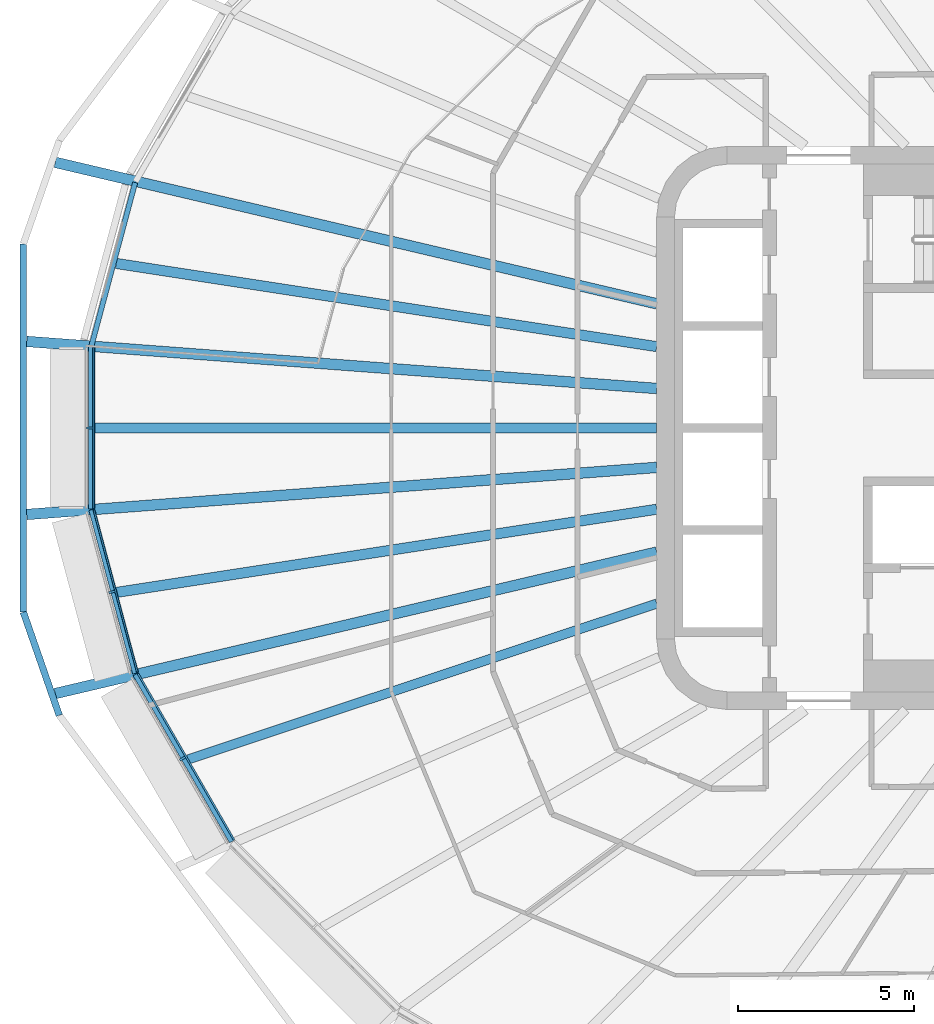
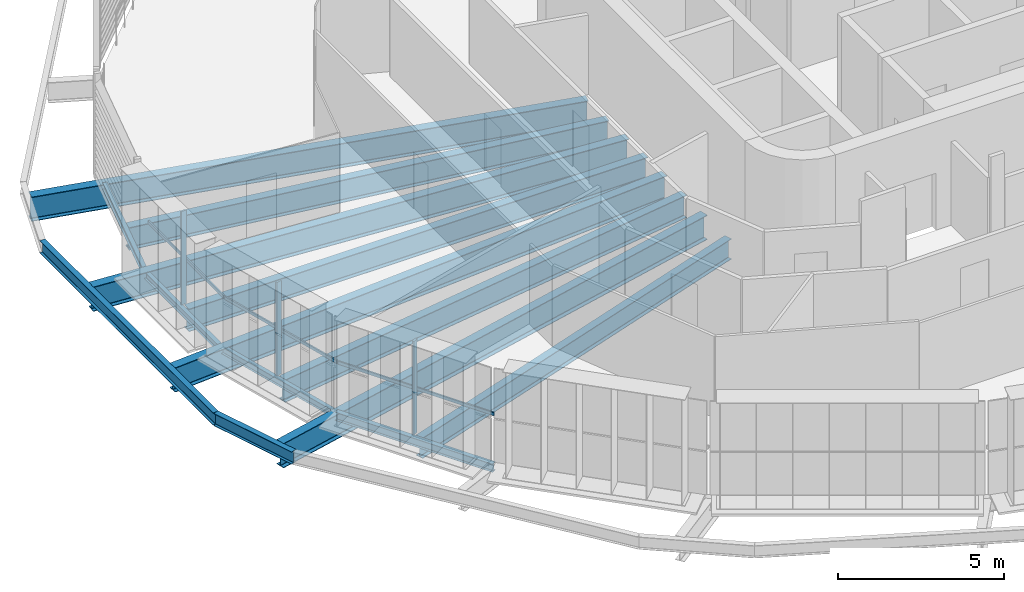
# One storey, part 2 of 23: 14 beams, 6 members, 3 elements without a shape of their own.
"""IFC4 building model written with IfcOpenShell, lengths in metres."""

from ifc_helpers import new_model, si_unit, direction, frame, origin, origin_2d, place, context, subcontext, project, spatial, rectangle, i_section, extrude, material, layer, layer_set, material_profile, profile_set, type_object, element, aggregate, save


model = new_model("IFC4")

# Units and contexts
model_context = context("Model", 3, precision=1e-05, world=origin(), true_north=direction((0.0, 1.0)))
body_context = subcontext(model_context, "Body", "Model", "MODEL_VIEW")
ifc_project = project(units=[si_unit("LENGTHUNIT", "METRE"), si_unit("AREAUNIT", "SQUARE_METRE"), si_unit("VOLUMEUNIT", "CUBIC_METRE"), si_unit("PLANEANGLEUNIT", "RADIAN"), si_unit("MASSUNIT", "GRAM", prefix="KILO")], contexts=[model_context])

# Site, building, storey
site_placement = place(None, origin())
site = spatial("IfcSite", under=ifc_project, at=site_placement, CompositionType="ELEMENT")
building_placement = place(site_placement, origin())
building = spatial("IfcBuilding", under=site, at=building_placement, Name="Sahrelin Media Tower", CompositionType="ELEMENT")
storey_placement = place(building_placement, frame((0.0, 0.0, 169.60009765625)))
storey = spatial("IfcBuildingStorey", under=building, at=storey_placement, Name="L35", CompositionType="ELEMENT", Elevation=169.60009765625)

# Beams
ifc_material_1 = material(Name="Steel S355", Category="steel")
ifc_material_profile_1 = material_profile(ifc_material_1, i_section(OverallWidth=0.14599609375, OverallDepth=0.25146484375, WebThickness=0.006103515625, FlangeThickness=0.008544921875, FilletRadius=0.007568359375, at=origin_2d()), Name="UB 254x146x31")
ifc_profile_set_1 = profile_set([ifc_material_profile_1], Name="Steel S355")
beam_type_1 = type_object("IfcBeamType", Name="Edge beam EB1", PredefinedType="BEAM", material=ifc_profile_set_1)
beam_1_placement = place(storey_placement, frame((-29.81787109375, -6.972900390625, -0.27587890625), z_axis=(-0.258802892951, 0.9659301541, 0.0), x_axis=(-0.9659301541, -0.258802892951, 0.0)))
element("IfcBeam", 1, at=beam_1_placement, inside=storey, type_object=beam_type_1, Name="Edge beam L35-12", PredefinedType="BEAM", context=body_context, shape_type="SweptSolid", body=[
    extrude(i_section(OverallWidth=0.14599609375, OverallDepth=0.25146484375, WebThickness=0.006103515625, FlangeThickness=0.008544921875, FilletRadius=0.007568359375, at=origin_2d()), origin(), (0.0, 0.0, 1.0), 4.81005859375),
])
beam_2_placement = place(storey_placement, frame((-31.06640625, -2.298095703125, -0.32568359375), z_axis=(0.0, 1.0, 0.0), x_axis=(-1.0, 0.0, 0.0)))
element("IfcBeam", 2, at=beam_2_placement, inside=storey, type_object=beam_type_1, Name="Edge beam L35-13", PredefinedType="BEAM", context=body_context, shape_type="SweptSolid", body=[
    extrude(i_section(OverallWidth=0.14599609375, OverallDepth=0.25146484375, WebThickness=0.006103515625, FlangeThickness=0.008544921875, FilletRadius=0.007568359375, at=origin_2d()), origin(), (0.0, 0.0, 1.0), 4.59619140625),
])
beam_3_placement = place(storey_placement, frame((-31.062744140625, 2.32666015625, -0.32568359375), z_axis=(0.258802892951, 0.9659301541, 0.0), x_axis=(-0.9659301541, 0.258802892951, 0.0)))
element("IfcBeam", 3, at=beam_3_placement, inside=storey, type_object=beam_type_1, Name="Edge beam L35-14", PredefinedType="BEAM", context=body_context, shape_type="SweptSolid", body=[
    extrude(i_section(OverallWidth=0.14599609375, OverallDepth=0.25146484375, WebThickness=0.006103515625, FlangeThickness=0.008544921875, FilletRadius=0.007568359375, at=origin_2d()), origin(), (0.0, 0.0, 1.0), 4.81005859375),
])
ifc_material_profile_2 = material_profile(ifc_material_1, i_section(OverallWidth=0.1650390625, OverallDepth=0.303466796875, WebThickness=0.006103515625, FlangeThickness=0.01025390625, FilletRadius=0.0087890625, at=origin_2d()), Name="UB 305x165x40")
ifc_profile_set_2 = profile_set([ifc_material_profile_2], Name="Steel S355")
beam_type_2 = type_object("IfcBeamType", Name="Edge beam EB2", PredefinedType="BEAM", material=ifc_profile_set_2)
beam_4_placement = place(storey_placement, frame((-27.065673828125, -11.747314453125, -0.3017578125), z_axis=(-0.500008994894, 0.866020210518, 0.0), x_axis=(-0.866020210518, -0.500008994894, 0.0)))
element("IfcBeam", 4, at=beam_4_placement, inside=storey, type_object=beam_type_2, Name="Edge beam L35-11", PredefinedType="BEAM", context=body_context, shape_type="SweptSolid", body=[
    extrude(i_section(OverallWidth=0.1650390625, OverallDepth=0.303466796875, WebThickness=0.006103515625, FlangeThickness=0.01025390625, FilletRadius=0.0087890625, at=origin_2d()), origin(), (0.0, 0.0, 1.0), 5.482421875),
])

# Curtain wall, member
ifc_material_2 = material(Name="Champagne anodised aluminium 6063-T6", Category="aluminium")
ifc_layer = layer(ifc_material_2, 0.14990234375)
ifc_layer_set = layer_set([ifc_layer], Name="Tower ribbon curtain wall")
curtain_wall_type = type_object("IfcCurtainWallType", Name="Tower ribbon curtain wall", PredefinedType="NOTDEFINED", material=ifc_layer_set)
curtain_wall_1_placement = place(storey_placement, frame((-31.216552734375, 0.0, 0.0), z_axis=(0.0, 0.0, 1.0), x_axis=(1.0, 0.0, 0.0)))
curtain_wall_1 = element("IfcCurtainWall", 5, at=curtain_wall_1_placement, inside=storey, type_object=curtain_wall_type, Name="L35:CW:L35-12", PredefinedType="NOTDEFINED")
ifc_material_profile_3 = material_profile(ifc_material_2, rectangle(XDim=0.06005859375, YDim=0.175048828125, at=origin_2d()), Name="Mullion 60x175")
ifc_profile_set_3 = profile_set([ifc_material_profile_3], Name="Champagne anodised aluminium 6063-T6")
member_type_1 = type_object("IfcMemberType", Name="Mullion 60x175 CW1B", PredefinedType="MULLION", material=ifc_profile_set_3)
member_1_placement = place(storey_placement, frame((-31.10888671875, 0.0, 0.0), z_axis=(0.0, 0.0, 1.0), x_axis=(0.0, -1.0, 0.0)))
member_1 = element("IfcMember", 6, at=member_1_placement, type_object=member_type_1, Name="L35:CWM:L35-12", PredefinedType="MULLION", context=body_context, shape_type="SweptSolid", body=[
    extrude(rectangle(XDim=0.06005859375, YDim=0.175048828125, at=origin_2d()), origin(), (0.0, 0.0, 1.0), 3.448486328125),
])

curtain_wall_2_placement = place(storey_placement, frame((-30.585205078125, -4.6884765625, 0.0), z_axis=(0.0, 0.0, 1.0), x_axis=(1.0, 0.0, 0.0)))
curtain_wall_2 = element("IfcCurtainWall", 7, at=curtain_wall_2_placement, inside=storey, type_object=curtain_wall_type, Name="L35:CW:L35-13", PredefinedType="NOTDEFINED")
member_2_placement = place(storey_placement, frame((-30.4814453125, -4.66064453125, 0.0), z_axis=(0.0, 0.0, 1.0), x_axis=(0.258808929937, -0.965928536583, 0.0)))
member_2 = element("IfcMember", 8, at=member_2_placement, type_object=member_type_1, Name="L35:CWM:L35-13", PredefinedType="MULLION", context=body_context, shape_type="SweptSolid", body=[
    extrude(rectangle(XDim=0.06005859375, YDim=0.175048828125, at=origin_2d()), origin(), (0.0, 0.0, 1.0), 3.448486328125),
])

curtain_wall_3_placement = place(storey_placement, frame((-28.566162109375, -9.4482421875, 0.0), z_axis=(0.0, 0.0, 1.0), x_axis=(1.0, 0.0, 0.0)))
curtain_wall_3 = element("IfcCurtainWall", 9, at=curtain_wall_3_placement, inside=storey, type_object=curtain_wall_type, Name="L35:CW:L35-14", PredefinedType="NOTDEFINED")
member_3_placement = place(storey_placement, frame((-28.47314453125, -9.39453125, 0.0), z_axis=(0.0, 0.0, 1.0), x_axis=(0.500009068969, -0.866020167749, 0.0)))
member_3 = element("IfcMember", 10, at=member_3_placement, type_object=member_type_1, Name="L35:CWM:L35-14", PredefinedType="MULLION", context=body_context, shape_type="SweptSolid", body=[
    extrude(rectangle(XDim=0.06005859375, YDim=0.175048828125, at=origin_2d()), origin(), (0.0, 0.0, 1.0), 3.448486328125),
])

# Beams
ifc_material_profile_4 = material_profile(ifc_material_1, i_section(OverallWidth=0.30322265625, OverallDepth=0.903076171875, WebThickness=0.01513671875, FlangeThickness=0.020263671875, FilletRadius=0.01904296875, at=origin_2d()), Name="UB 914x305x201")
ifc_profile_set_4 = profile_set([ifc_material_profile_4], Name="Steel S355")
beam_type_3 = type_object("IfcBeamType", Name="Radial primary beam PB11", PredefinedType="BEAM", material=ifc_profile_set_4)
beam_5_placement = place(storey_placement, frame((-15.0, 3.52783203125, -0.651611328125), z_axis=(-0.973441602467, 0.228935463803, 0.0), x_axis=(-0.228935463803, -0.973441602467, 0.0)))
element("IfcBeam", 11, at=beam_5_placement, inside=storey, type_object=beam_type_3, Name="Radial beam L35-11", PredefinedType="BEAM", context=body_context, shape_type="SweptSolid", body=[
    extrude(i_section(OverallWidth=0.30322265625, OverallDepth=0.903076171875, WebThickness=0.01513671875, FlangeThickness=0.020263671875, FilletRadius=0.01904296875, at=origin_2d()), origin(), (0.0, 0.0, 1.0), 17.555419921875),
])
for number, where, z_axis, x_axis, name in (
    (12, (-15.0, 1.120849609375, -0.6015625), (-0.997220571092, 0.074505923192, 0.0), (-0.074505923192, -0.997220571092, 0.0), "Radial beam L35-12"),
    (13, (-15.0, -1.120849609375, -0.6015625), (-0.997220571092, -0.074505923192, 0.0), (0.074505923192, -0.997220571092, 0.0), "Radial beam L35-13"),
):
    element("IfcBeam", number, at=place(storey_placement, frame(where, z_axis=z_axis, x_axis=x_axis)), inside=storey, type_object=beam_type_3, Name=name, PredefinedType="BEAM", context=body_context, shape_type="SweptSolid", body=[
        extrude(i_section(OverallWidth=0.30322265625, OverallDepth=0.903076171875, WebThickness=0.01513671875, FlangeThickness=0.020263671875, FilletRadius=0.01904296875, at=origin_2d()), origin(), (0.0, 0.0, 1.0), 17.9501953125),
    ])
beam_6_placement = place(storey_placement, frame((-15.0, -3.52783203125, -0.6015625), z_axis=(-0.973441602467, -0.228935463803, 0.0), x_axis=(0.228935463803, -0.973441602467, 0.0)))
element("IfcBeam", 14, at=beam_6_placement, inside=storey, type_object=beam_type_3, Name="Radial beam L35-14", PredefinedType="BEAM", context=body_context, shape_type="SweptSolid", body=[
    extrude(i_section(OverallWidth=0.30322265625, OverallDepth=0.903076171875, WebThickness=0.01513671875, FlangeThickness=0.020263671875, FilletRadius=0.01904296875, at=origin_2d()), origin(), (0.0, 0.0, 1.0), 17.555419921875),
])
ifc_material_profile_5 = material_profile(ifc_material_1, i_section(OverallWidth=0.291748046875, OverallDepth=0.8349609375, WebThickness=0.013916015625, FlangeThickness=0.018798828125, FilletRadius=0.017822265625, at=origin_2d()), Name="UB 838x292x176")
ifc_profile_set_5 = profile_set([ifc_material_profile_5], Name="Steel S355")
beam_type_4 = type_object("IfcBeamType", Name="Radial secondary beam SB10", PredefinedType="BEAM", material=ifc_profile_set_5)
beam_7_placement = place(storey_placement, frame((-15.0, 2.309814453125, -0.617431640625), z_axis=(-0.988352436235, 0.152182330737, 0.0), x_axis=(-0.152182330737, -0.988352436235, 0.0)))
element("IfcBeam", 15, at=beam_7_placement, inside=storey, type_object=beam_type_4, Name="Secondary beam L35-11", PredefinedType="BEAM", context=body_context, shape_type="SweptSolid", body=[
    extrude(i_section(OverallWidth=0.291748046875, OverallDepth=0.8349609375, WebThickness=0.013916015625, FlangeThickness=0.018798828125, FilletRadius=0.017822265625, at=origin_2d()), origin(), (0.0, 0.0, 1.0), 15.538818359375),
])
beam_8_placement = place(storey_placement, frame((-15.0, 0.0, -0.567626953125), z_axis=(-1.0, 0.0, 0.0), x_axis=(0.0, -1.0, 0.0)))
element("IfcBeam", 16, at=beam_8_placement, inside=storey, type_object=beam_type_4, Name="Secondary beam L35-12", PredefinedType="BEAM", context=body_context, shape_type="SweptSolid", body=[
    extrude(i_section(OverallWidth=0.291748046875, OverallDepth=0.8349609375, WebThickness=0.013916015625, FlangeThickness=0.018798828125, FilletRadius=0.017822265625, at=origin_2d()), origin(), (0.0, 0.0, 1.0), 15.993408203125),
])
beam_9_placement = place(storey_placement, frame((-15.0, -2.309814453125, -0.567626953125), z_axis=(-0.988352436235, -0.152182330737, 0.0), x_axis=(0.152182330737, -0.988352436235, 0.0)))
element("IfcBeam", 17, at=beam_9_placement, inside=storey, type_object=beam_type_4, Name="Secondary beam L35-13", PredefinedType="BEAM", context=body_context, shape_type="SweptSolid", body=[
    extrude(i_section(OverallWidth=0.291748046875, OverallDepth=0.8349609375, WebThickness=0.013916015625, FlangeThickness=0.018798828125, FilletRadius=0.017822265625, at=origin_2d()), origin(), (0.0, 0.0, 1.0), 15.538818359375),
])
ifc_material_profile_6 = material_profile(ifc_material_1, i_section(OverallWidth=0.26513671875, OverallDepth=0.75390625, WebThickness=0.0126953125, FlangeThickness=0.017578125, FilletRadius=0.0166015625, at=origin_2d()), Name="UB 762x267x147")
ifc_profile_set_6 = profile_set([ifc_material_profile_6], Name="Steel S355")
beam_type_5 = type_object("IfcBeamType", Name="Radial secondary beam SB9", PredefinedType="BEAM", material=ifc_profile_set_6)
beam_10_placement = place(storey_placement, frame((-15.0, -4.9892578125, -0.527099609375), z_axis=(-0.948890135418, -0.315606576147, 0.0), x_axis=(0.315606576147, -0.948890135418, 0.0)))
element("IfcBeam", 18, at=beam_10_placement, inside=storey, type_object=beam_type_5, Name="Secondary beam L35-14", PredefinedType="BEAM", context=body_context, shape_type="SweptSolid", body=[
    extrude(i_section(OverallWidth=0.26513671875, OverallDepth=0.75390625, WebThickness=0.0126953125, FlangeThickness=0.017578125, FilletRadius=0.0166015625, at=origin_2d()), origin(), (0.0, 0.0, 1.0), 14.032470703125),
])
ifc_material_profile_7 = material_profile(ifc_material_1, i_section(OverallWidth=0.1904296875, OverallDepth=0.45703125, WebThickness=0.009033203125, FlangeThickness=0.014404296875, FilletRadius=0.01025390625, at=origin_2d()), Name="UB 457x191x74")
ifc_profile_set_7 = profile_set([ifc_material_profile_7], Name="Steel S355")
beam_type_6 = type_object("IfcBeamType", Name="Tie chord TC5", PredefinedType="BEAM", material=ifc_profile_set_7)
beam_11_placement = place(storey_placement, frame((-32.99560546875, 5.232666015625, -0.378662109375), z_axis=(0.0, -1.0, 0.0), x_axis=(1.0, 0.0, 0.0)))
element("IfcBeam", 19, at=beam_11_placement, inside=storey, type_object=beam_type_6, Name="Tie chord L35-12", PredefinedType="BEAM", context=body_context, shape_type="SweptSolid", body=[
    extrude(i_section(OverallWidth=0.1904296875, OverallDepth=0.45703125, WebThickness=0.009033203125, FlangeThickness=0.014404296875, FilletRadius=0.01025390625, at=origin_2d()), origin(), (0.0, 0.0, 1.0), 10.46533203125),
])
beam_12_placement = place(storey_placement, frame((-32.99560546875, -5.232666015625, -0.378662109375), z_axis=(0.328788825537, -0.944403466852, 0.0), x_axis=(0.944403466852, 0.328788825537, 0.0)))
element("IfcBeam", 20, at=beam_12_placement, inside=storey, type_object=beam_type_6, Name="Tie chord L35-13", PredefinedType="BEAM", context=body_context, shape_type="SweptSolid", body=[
    extrude(i_section(OverallWidth=0.1904296875, OverallDepth=0.45703125, WebThickness=0.009033203125, FlangeThickness=0.014404296875, FilletRadius=0.01025390625, at=origin_2d()), origin(), (0.0, 0.0, 1.0), 3.106689453125),
])

# Member
ifc_material_profile_8 = material_profile(ifc_material_2, rectangle(XDim=0.050048828125, YDim=0.110107421875, at=origin_2d()), Name="Transom 50x110")
ifc_profile_set_8 = profile_set([ifc_material_profile_8], Name="Champagne anodised aluminium 6063-T6")
member_type_2 = type_object("IfcMemberType", Name="Transom 50x110 CW1B", PredefinedType="USERDEFINED", material=ifc_profile_set_8)
member_4_placement = place(storey_placement, frame((-30.99658203125, 2.282470703125, 1.599853515625), z_axis=(0.0, -1.0, 0.0), x_axis=(1.0, 0.0, 0.0)))
member_4 = element("IfcMember", 21, at=member_4_placement, type_object=member_type_2, Name="L35:CWT:L35-12", ObjectType="TRANSOM", PredefinedType="USERDEFINED", context=body_context, shape_type="SweptSolid", body=[
    extrude(rectangle(XDim=0.050048828125, YDim=0.110107421875, at=origin_2d()), origin(), (0.0, 0.0, 1.0), 4.56494140625),
])

aggregate(curtain_wall_1, [member_1, member_4])

member_5_placement = place(storey_placement, frame((-30.9912109375, -2.32373046875, 1.599853515625), z_axis=(0.258826317767, -0.965923877555, 0.0), x_axis=(0.965923877555, 0.258826317767, 0.0)))
member_5 = element("IfcMember", 22, at=member_5_placement, type_object=member_type_2, Name="L35:CWT:L35-13", ObjectType="TRANSOM", PredefinedType="USERDEFINED", context=body_context, shape_type="SweptSolid", body=[
    extrude(rectangle(XDim=0.050048828125, YDim=0.110107421875, at=origin_2d()), origin(), (0.0, 0.0, 1.0), 4.778564453125),
])

aggregate(curtain_wall_2, [member_2, member_5])

member_6_placement = place(storey_placement, frame((-29.73828125, -6.97802734375, 1.599853515625), z_axis=(0.499997733992, -0.866026712061, 0.0), x_axis=(0.866026712061, 0.499997733992, 0.0)))
member_6 = element("IfcMember", 23, at=member_6_placement, type_object=member_type_2, Name="L35:CWT:L35-14", ObjectType="TRANSOM", PredefinedType="USERDEFINED", context=body_context, shape_type="SweptSolid", body=[
    extrude(rectangle(XDim=0.050048828125, YDim=0.110107421875, at=origin_2d()), origin(), (0.0, 0.0, 1.0), 5.45068359375),
])

aggregate(curtain_wall_3, [member_3, member_6])

save(model, "model.ifc")
